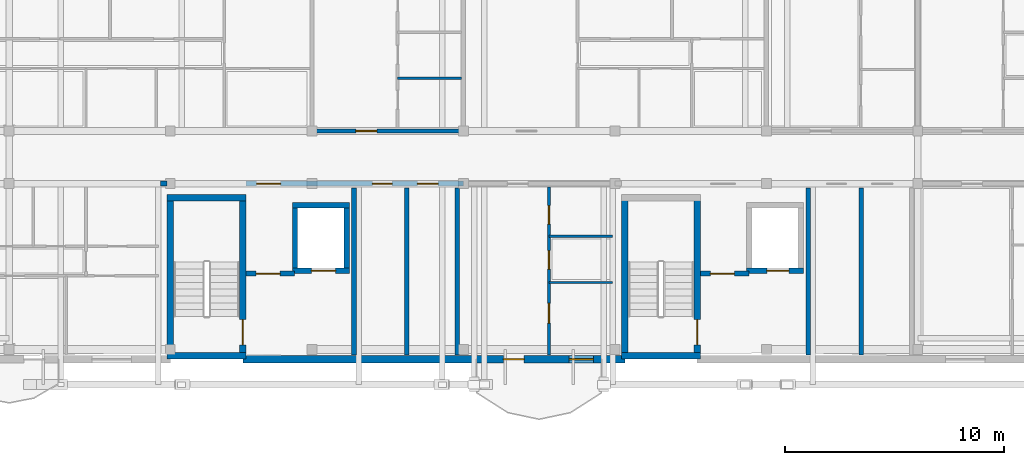
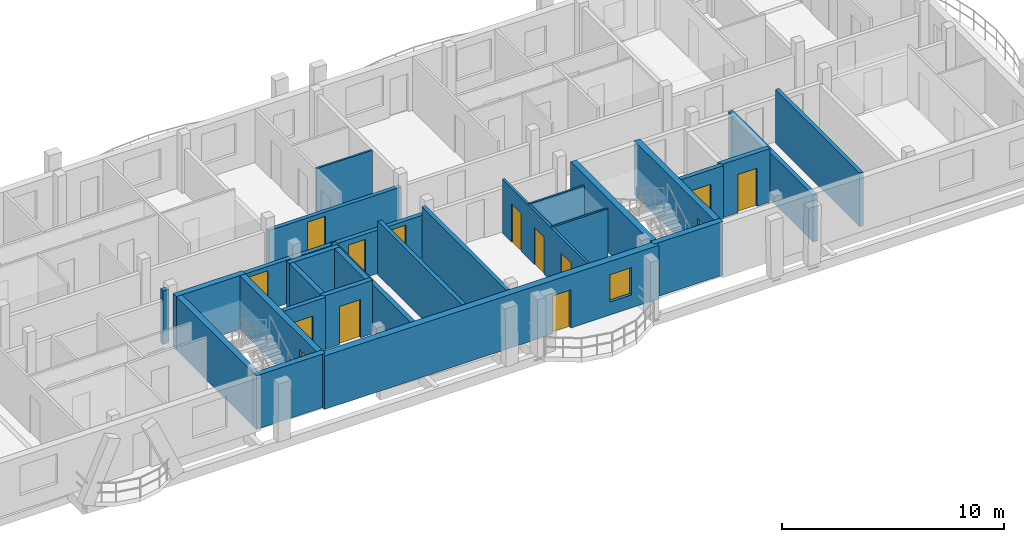
# One storey, part 32 of 48: 27 walls, 14 doors, 1 window, 15 openings.
"""IFC4 building model written with IfcOpenShell, lengths in metres."""

from ifc_helpers import new_model, si_unit, direction, frame, frame_2d, origin, origin_with_axes, place, context, subcontext, project, spatial, rectangle, extrude, material, layer, layer_set, type_object, element, fill, save


model = new_model("IFC4")

# Units and contexts
model_context = context("Model", 3, precision=1e-05, world=origin(), true_north=direction((0.0, 1.0)))
body_context = subcontext(model_context, "Body", "Model", "MODEL_VIEW")
ifc_project = project(units=[si_unit("LENGTHUNIT", "METRE"), si_unit("AREAUNIT", "SQUARE_METRE"), si_unit("VOLUMEUNIT", "CUBIC_METRE"), si_unit("PLANEANGLEUNIT", "RADIAN"), si_unit("MASSUNIT", "GRAM", prefix="KILO")], contexts=[model_context])

# Site, building, storey
site_placement = place(None, origin())
site = spatial("IfcSite", under=ifc_project, at=site_placement, CompositionType="ELEMENT")
building_placement = place(site_placement, origin())
building = spatial("IfcBuilding", under=site, at=building_placement, Name="Zavelmont Quarter", CompositionType="ELEMENT")
storey_placement = place(building_placement, frame((0.0, 0.0, 17.60009765625)))
storey = spatial("IfcBuildingStorey", under=building, at=storey_placement, Name="L05", CompositionType="ELEMENT", Elevation=17.60009765625)

# Wall, openings, door, window
ifc_material_1 = material(Name="Natural Belgian limestone", Category="masonry")
ifc_layer_1 = layer(ifc_material_1, 0.360107421875)
ifc_layer_set_1 = layer_set([ifc_layer_1], Name="Natural Belgian limestone")
wall_type_1 = type_object("IfcWallType", Name="EW02", PredefinedType="STANDARD", material=ifc_layer_set_1)
wall_1_placement = place(storey_placement, frame((130.35009765625, 97.60009765625, 0.0), z_axis=(0.0, 0.0, 1.0), x_axis=(1.0, 0.0, 0.0)))
wall_1 = element("IfcWall", 1, at=wall_1_placement, inside=storey, type_object=wall_type_1, Name="L05 exterior limestone wall EW02", PredefinedType="STANDARD", context=body_context, shape_type="SweptSolid", body=[
    extrude(rectangle(XDim=17.39990234375, YDim=0.360107421875, at=frame_2d((8.699951171875, 0.0))), origin(), (0.0, 0.0, 1.0), 2.949951171875),
])
opening_1_placement = place(wall_1_placement, frame((11.8701171875, 0.0, 0.0)))
opening_1 = element("IfcOpeningElement", 2, at=opening_1_placement, cuts=wall_1, Name="Opening DR04", PredefinedType="OPENING", context=body_context, shape_type="SweptSolid", body=[
    extrude(rectangle(XDim=0.949951171875, YDim=2.10009765625, at=frame_2d((0.47509765625, 1.050048828125))), frame((0.0, 0.19189453125, 0.0), z_axis=(0.0, -1.0, 0.0), x_axis=(1.0, 0.0, 0.0)), (0.0, 0.0, 1.0), 0.384033203125),
])
opening_2_placement = place(wall_1_placement, frame((14.8701171875, 0.0, 0.719970703125)))
opening_2 = element("IfcOpeningElement", 3, at=opening_2_placement, cuts=wall_1, Name="Opening WN09", PredefinedType="OPENING", context=body_context, shape_type="SweptSolid", body=[
    extrude(rectangle(XDim=1.10009765625, YDim=1.5, at=frame_2d((0.550048828125, 0.75))), frame((0.0, 0.19189453125, 0.0), z_axis=(0.0, -1.0, 0.0), x_axis=(1.0, 0.0, 0.0)), (0.0, 0.0, 1.0), 0.384033203125),
])
ifc_material_2 = material(Name="Thermally broken aluminium and double safety glass", Category="aluminium")
door_type_1 = type_object("IfcDoorType", Name="DR04", OperationType="NOTDEFINED", PredefinedType="DOOR", material=ifc_material_2)
door_1_placement = place(opening_1_placement, origin_with_axes())
door_1 = element("IfcDoor", 4, at=door_1_placement, inside=storey, type_object=door_type_1, Name="Block C L05 glazed balcony door", OperationType="SINGLE_SWING_RIGHT", OverallHeight=2.10009765625, OverallWidth=0.949951171875, PredefinedType="DOOR", context=body_context, shape_type="SweptSolid", body=[
    extrude(rectangle(XDim=0.949951171875, YDim=2.10009765625, at=frame_2d((0.47509765625, 1.050048828125))), frame((0.0, 0.02490234375, 0.0), z_axis=(0.0, -1.0, 0.0), x_axis=(1.0, 0.0, 0.0)), (0.0, 0.0, 1.0), 0.050048828125),
])
fill(opening_1, door_1)
ifc_material_3 = material(Name="Double low-E insulated glazing in thermally broken aluminium frame", Category="aluminium")
window_type = type_object("IfcWindowType", Name="WN09", PartitioningType="SINGLE_PANEL", PredefinedType="WINDOW", material=ifc_material_3)
window_placement = place(opening_2_placement, origin_with_axes())
window = element("IfcWindow", 5, at=window_placement, inside=storey, type_object=window_type, Name="L05 window WN09", OverallHeight=1.5, OverallWidth=1.10009765625, PartitioningType="SINGLE_PANEL", PredefinedType="WINDOW", context=body_context, shape_type="SweptSolid", body=[
    extrude(rectangle(XDim=1.10009765625, YDim=1.5, at=frame_2d((0.550048828125, 0.75))), frame((0.0, 0.030029296875, 0.0), z_axis=(0.0, -1.0, 0.0), x_axis=(1.0, 0.0, 0.0)), (0.0, 0.0, 1.0), 0.06005859375),
])
fill(opening_2, window)

# Walls
ifc_material_4 = material(Name="Calcium-silicate blockwork and acoustic plaster", Category="masonry")
ifc_layer_2 = layer(ifc_material_4, 0.199951171875)
ifc_layer_set_2 = layer_set([ifc_layer_2], Name="Calcium-silicate blockwork and acoustic plaster")
wall_type_2 = type_object("IfcWallType", Name="IW01", PredefinedType="PARTITIONING", material=ifc_layer_set_2)
for number, where, z_axis, x_axis, name in (
    (6, (137.824951171875, 97.800048828125, 0.0), (0.0, 0.0, 1.0), (0.0, 1.0, 0.0), "L05 Service riser divider wall IW01"),
    (7, (140.1201171875, 97.800048828125, 0.0), (0.0, 0.0, 1.0), (0.0, 1.0, 0.0), "L05 Core service end wall IW01"),
    (8, (158.52490234375, 97.800048828125, 0.0), (0.0, 0.0, 1.0), (0.0, 1.0, 0.0), "L05 Service riser divider wall IW01"),
):
    element("IfcWall", number, at=place(storey_placement, frame(where, z_axis=z_axis, x_axis=x_axis)), inside=storey, type_object=wall_type_2, Name=name, PredefinedType="PARTITIONING", context=body_context, shape_type="SweptSolid", body=[
        extrude(rectangle(XDim=7.599853515625, YDim=0.199951171875, at=frame_2d((3.7998046875, 0.0))), origin(), (0.0, 0.0, 1.0), 2.949951171875),
    ])

# Wall, opening, door
wall_2_placement = place(storey_placement, frame((133.5, 108.0, 0.0), z_axis=(0.0, 0.0, 1.0), x_axis=(1.0, 0.0, 0.0)))
wall_2 = element("IfcWall", 9, at=wall_2_placement, inside=storey, type_object=wall_type_2, Name="L05 Corridor compartment wall IW01", PredefinedType="PARTITIONING", context=body_context, shape_type="SweptSolid", body=[
    extrude(rectangle(XDim=6.89990234375, YDim=0.199951171875, at=frame_2d((3.449951171875, 0.0))), origin(), (0.0, 0.0, 1.0), 2.389892578125),
])
opening_3_placement = place(wall_2_placement, frame((2.0, 0.0, 0.0)))
opening_3 = element("IfcOpeningElement", 10, at=opening_3_placement, cuts=wall_2, Name="Opening DR02", PredefinedType="OPENING", context=body_context, shape_type="SweptSolid", body=[
    extrude(rectangle(XDim=0.949951171875, YDim=2.14990234375, at=frame_2d((0.47509765625, 1.074951171875))), frame((0.0, 0.11181640625, 0.0), z_axis=(0.0, -1.0, 0.0), x_axis=(1.0, 0.0, 0.0)), (0.0, 0.0, 1.0), 0.223876953125),
])
ifc_material_5 = material(Name="Solid-core oak fire leaf in steel frame", Category="steel")
door_type_2 = type_object("IfcDoorType", Name="DR02", OperationType="NOTDEFINED", PredefinedType="DOOR", material=ifc_material_5)
door_2_placement = place(opening_3_placement, origin_with_axes())
door_2 = element("IfcDoor", 11, at=door_2_placement, inside=storey, type_object=door_type_2, Name="L05 door DR02", OperationType="SINGLE_SWING_LEFT", OverallHeight=2.14990234375, OverallWidth=0.949951171875, PredefinedType="DOOR", context=body_context, shape_type="SweptSolid", body=[
    extrude(rectangle(XDim=0.949951171875, YDim=2.14990234375, at=frame_2d((0.47509765625, 1.074951171875))), frame((0.0, 0.02490234375, 0.0), z_axis=(0.0, -1.0, 0.0), x_axis=(1.0, 0.0, 0.0)), (0.0, 0.0, 1.0), 0.050048828125),
])
fill(opening_3, door_2)

# Wall
ifc_material_6 = material(Name="Reinforced masonry fire compartment wall", Category="masonry")
ifc_layer_3 = layer(ifc_material_6, 0.22509765625)
ifc_layer_set_3 = layer_set([ifc_layer_3], Name="Reinforced masonry fire compartment wall")
wall_type_3 = type_object("IfcWallType", Name="IW02", PredefinedType="PARTITIONING", material=ifc_layer_set_3)
wall_3_placement = place(storey_placement, frame((135.409912109375, 97.800048828125, 0.0), z_axis=(0.0, 0.0, 1.0), x_axis=(0.0, 1.0, 0.0)))
element("IfcWall", 12, at=wall_3_placement, inside=storey, type_object=wall_type_3, Name="L05 Firefighting lobby enclosure wall IW02", PredefinedType="PARTITIONING", context=body_context, shape_type="SweptSolid", body=[
    extrude(rectangle(XDim=7.599853515625, YDim=0.22509765625, at=frame_2d((3.7998046875, 0.0))), origin(), (0.0, 0.0, 1.0), 2.58984375),
])

# Wall, opening, door
wall_4_placement = place(storey_placement, frame((130.5, 101.5, 0.0), z_axis=(0.0, 0.0, 1.0), x_axis=(1.0, 0.0, 0.0)))
wall_4 = element("IfcWall", 13, at=wall_4_placement, inside=storey, type_object=wall_type_3, Name="L05 Firefighting lobby threshold wall IW02", PredefinedType="PARTITIONING", context=body_context, shape_type="SweptSolid", body=[
    extrude(rectangle(XDim=2.199951171875, YDim=0.22509765625, at=frame_2d((1.10009765625, 0.0))), origin(), (0.0, 0.0, 1.0), 2.949951171875),
])
opening_4_placement = place(wall_4_placement, frame((0.449951171875, 0.0, 0.0)))
opening_4 = element("IfcOpeningElement", 14, at=opening_4_placement, cuts=wall_4, Name="Opening DR10", PredefinedType="OPENING", context=body_context, shape_type="SweptSolid", body=[
    extrude(rectangle(XDim=1.10009765625, YDim=2.14990234375, at=frame_2d((0.550048828125, 1.074951171875))), frame((0.0, 0.12451171875, 0.0), z_axis=(0.0, -1.0, 0.0), x_axis=(1.0, 0.0, 0.0)), (0.0, 0.0, 1.0), 0.2490234375),
])
ifc_material_7 = material(Name="Painted steel lobby fire door", Category="steel")
door_type_3 = type_object("IfcDoorType", Name="DR10", OperationType="NOTDEFINED", PredefinedType="DOOR", material=ifc_material_7)
door_3_placement = place(opening_4_placement, frame((1.10009765625, 0.0, 0.0), z_axis=(0.0, 0.0, 1.0), x_axis=(-1.0, 0.0, 0.0)))
door_3 = element("IfcDoor", 15, at=door_3_placement, inside=storey, type_object=door_type_3, Name="Firefighting lobby fire door", OperationType="SINGLE_SWING_LEFT", OverallHeight=2.14990234375, OverallWidth=1.10009765625, PredefinedType="DOOR", context=body_context, shape_type="SweptSolid", body=[
    extrude(rectangle(XDim=1.10009765625, YDim=2.14990234375, at=frame_2d((0.550048828125, 1.074951171875))), frame((0.0, 0.02490234375, 0.0), z_axis=(0.0, -1.0, 0.0), x_axis=(1.0, 0.0, 0.0)), (0.0, 0.0, 1.0), 0.050048828125),
])
fill(opening_4, door_3)

# Wall
wall_5_placement = place(storey_placement, frame((126.60009765625, 105.60009765625, 0.0), z_axis=(0.0, 0.0, 1.0), x_axis=(1.0, 0.0, 0.0)))
element("IfcWall", 16, at=wall_5_placement, inside=storey, type_object=wall_type_3, Name="L05 Core corridor wall IW02", PredefinedType="PARTITIONING", context=body_context, shape_type="SweptSolid", body=[
    extrude(rectangle(XDim=0.2998046875, YDim=0.22509765625, at=frame_2d((0.14990234375, 0.0))), origin(), (0.0, 0.0, 1.0), 2.949951171875),
])

# Wall, openings, doors
wall_6_placement = place(storey_placement, frame((130.5, 105.60009765625, 0.0), z_axis=(0.0, 0.0, 1.0), x_axis=(1.0, 0.0, 0.0)))
wall_6 = element("IfcWall", 17, at=wall_6_placement, inside=storey, type_object=wall_type_3, Name="L05 Core corridor fire wall IW02", PredefinedType="PARTITIONING", context=body_context, shape_type="SweptSolid", body=[
    extrude(rectangle(XDim=9.89990234375, YDim=0.22509765625, at=frame_2d((4.949951171875, 0.0))), origin(), (0.0, 0.0, 1.0), 2.389892578125),
])
opening_5_placement = place(wall_6_placement, frame((0.47509765625, 0.0, 0.0)))
opening_5 = element("IfcOpeningElement", 18, at=opening_5_placement, cuts=wall_6, Name="Opening DR10", PredefinedType="OPENING", context=body_context, shape_type="SweptSolid", body=[
    extrude(rectangle(XDim=1.10009765625, YDim=2.14990234375, at=frame_2d((0.550048828125, 1.074951171875))), frame((0.0, 0.12451171875, 0.0), z_axis=(0.0, -1.0, 0.0), x_axis=(1.0, 0.0, 0.0)), (0.0, 0.0, 1.0), 0.2490234375),
])
opening_6_placement = place(wall_6_placement, frame((5.75, 0.0, 0.0)))
opening_6 = element("IfcOpeningElement", 19, at=opening_6_placement, cuts=wall_6, Name="Opening DR11", PredefinedType="OPENING", context=body_context, shape_type="SweptSolid", body=[
    extrude(rectangle(XDim=0.89990234375, YDim=2.10009765625, at=frame_2d((0.449951171875, 1.050048828125))), frame((0.0, 0.12451171875, 0.0), z_axis=(0.0, -1.0, 0.0), x_axis=(1.0, 0.0, 0.0)), (0.0, 0.0, 1.0), 0.2490234375),
])
opening_7_placement = place(wall_6_placement, frame((7.800048828125, 0.0, 0.0)))
opening_7 = element("IfcOpeningElement", 20, at=opening_7_placement, cuts=wall_6, Name="Opening DR02", PredefinedType="OPENING", context=body_context, shape_type="SweptSolid", body=[
    extrude(rectangle(XDim=0.949951171875, YDim=2.14990234375, at=frame_2d((0.47509765625, 1.074951171875))), frame((0.0, 0.12451171875, 0.0), z_axis=(0.0, -1.0, 0.0), x_axis=(1.0, 0.0, 0.0)), (0.0, 0.0, 1.0), 0.2490234375),
])
door_4_placement = place(opening_7_placement, origin_with_axes())
door_4 = element("IfcDoor", 21, at=door_4_placement, inside=storey, type_object=door_type_2, Name="Auxiliary store corridor door", OperationType="SINGLE_SWING_RIGHT", OverallHeight=2.14990234375, OverallWidth=0.949951171875, PredefinedType="DOOR", context=body_context, shape_type="SweptSolid", body=[
    extrude(rectangle(XDim=0.949951171875, YDim=2.14990234375, at=frame_2d((0.47509765625, 1.074951171875))), frame((0.0, 0.02490234375, 0.0), z_axis=(0.0, -1.0, 0.0), x_axis=(1.0, 0.0, 0.0)), (0.0, 0.0, 1.0), 0.050048828125),
])
fill(opening_7, door_4)
door_5_placement = place(opening_5_placement, frame((1.10009765625, 0.0, 0.0), z_axis=(0.0, 0.0, 1.0), x_axis=(-1.0, 0.0, 0.0)))
door_5 = element("IfcDoor", 22, at=door_5_placement, inside=storey, type_object=door_type_3, Name="Core vestibule fire door", OperationType="SINGLE_SWING_RIGHT", OverallHeight=2.14990234375, OverallWidth=1.10009765625, PredefinedType="DOOR", context=body_context, shape_type="SweptSolid", body=[
    extrude(rectangle(XDim=1.10009765625, YDim=2.14990234375, at=frame_2d((0.550048828125, 1.074951171875))), frame((0.0, 0.02490234375, 0.0), z_axis=(0.0, -1.0, 0.0), x_axis=(1.0, 0.0, 0.0)), (0.0, 0.0, 1.0), 0.050048828125),
])
fill(opening_5, door_5)
ifc_material_8 = material(Name="Painted steel service-riser fire door", Category="steel")
door_type_4 = type_object("IfcDoorType", Name="DR11", OperationType="NOTDEFINED", PredefinedType="DOOR", material=ifc_material_8)
door_6_placement = place(opening_6_placement, origin_with_axes())
door_6 = element("IfcDoor", 23, at=door_6_placement, inside=storey, type_object=door_type_4, Name="Service riser fire door", OperationType="SINGLE_SWING_LEFT", OverallHeight=2.10009765625, OverallWidth=0.89990234375, PredefinedType="DOOR", context=body_context, shape_type="SweptSolid", body=[
    extrude(rectangle(XDim=0.89990234375, YDim=2.10009765625, at=frame_2d((0.449951171875, 1.050048828125))), frame((0.0, 0.02490234375, 0.0), z_axis=(0.0, -1.0, 0.0), x_axis=(1.0, 0.0, 0.0)), (0.0, 0.0, 1.0), 0.050048828125),
])
fill(opening_6, door_6)

# Wall
wall_7_placement = place(storey_placement, frame((156.110107421875, 97.800048828125, 0.0), z_axis=(0.0, 0.0, 1.0), x_axis=(0.0, 1.0, 0.0)))
element("IfcWall", 24, at=wall_7_placement, inside=storey, type_object=wall_type_3, Name="L05 Firefighting lobby enclosure wall IW02", PredefinedType="PARTITIONING", context=body_context, shape_type="SweptSolid", body=[
    extrude(rectangle(XDim=7.599853515625, YDim=0.22509765625, at=frame_2d((3.7998046875, 0.0))), origin(), (0.0, 0.0, 1.0), 2.58984375),
])

# Wall, opening, door
wall_8_placement = place(storey_placement, frame((151.199951171875, 101.5, 0.0), z_axis=(0.0, 0.0, 1.0), x_axis=(1.0, 0.0, 0.0)))
wall_8 = element("IfcWall", 25, at=wall_8_placement, inside=storey, type_object=wall_type_3, Name="L05 Firefighting lobby threshold wall IW02", PredefinedType="PARTITIONING", context=body_context, shape_type="SweptSolid", body=[
    extrude(rectangle(XDim=2.199951171875, YDim=0.22509765625, at=frame_2d((1.10009765625, 0.0))), origin(), (0.0, 0.0, 1.0), 2.949951171875),
])
opening_8_placement = place(wall_8_placement, frame((0.449951171875, 0.0, 0.0)))
opening_8 = element("IfcOpeningElement", 26, at=opening_8_placement, cuts=wall_8, Name="Opening DR10", PredefinedType="OPENING", context=body_context, shape_type="SweptSolid", body=[
    extrude(rectangle(XDim=1.10009765625, YDim=2.14990234375, at=frame_2d((0.550048828125, 1.074951171875))), frame((0.0, 0.12451171875, 0.0), z_axis=(0.0, -1.0, 0.0), x_axis=(1.0, 0.0, 0.0)), (0.0, 0.0, 1.0), 0.2490234375),
])
door_7_placement = place(opening_8_placement, frame((1.10009765625, 0.0, 0.0), z_axis=(0.0, 0.0, 1.0), x_axis=(-1.0, 0.0, 0.0)))
door_7 = element("IfcDoor", 27, at=door_7_placement, inside=storey, type_object=door_type_3, Name="Firefighting lobby fire door", OperationType="SINGLE_SWING_RIGHT", OverallHeight=2.14990234375, OverallWidth=1.10009765625, PredefinedType="DOOR", context=body_context, shape_type="SweptSolid", body=[
    extrude(rectangle(XDim=1.10009765625, YDim=2.14990234375, at=frame_2d((0.550048828125, 1.074951171875))), frame((0.0, 0.02490234375, 0.0), z_axis=(0.0, -1.0, 0.0), x_axis=(1.0, 0.0, 0.0)), (0.0, 0.0, 1.0), 0.050048828125),
])
fill(opening_8, door_7)

# Wall, openings, doors
ifc_material_9 = material(Name="Double gypsum board on acoustic steel stud", Category="steel")
ifc_layer_4 = layer(ifc_material_9, 0.125)
ifc_layer_set_4 = layer_set([ifc_layer_4], Name="Double gypsum board on acoustic steel stud")
wall_type_4 = type_object("IfcWallType", Name="IW03", PredefinedType="PARTITIONING", material=ifc_layer_set_4)
wall_9_placement = place(storey_placement, frame((144.300048828125, 105.449951171875, 0.0), z_axis=(0.0, 0.0, 1.0), x_axis=(0.0, -1.0, 0.0)))
wall_9 = element("IfcWall", 28, at=wall_9_placement, inside=storey, type_object=wall_type_4, Name="L05 Partition IW03", PredefinedType="PARTITIONING", context=body_context, shape_type="SweptSolid", body=[
    extrude(rectangle(XDim=7.64990234375, YDim=0.125, at=frame_2d((3.824951171875, 0.0))), origin(), (0.0, 0.0, 1.0), 2.949951171875),
])
opening_9_placement = place(wall_9_placement, frame((0.85009765625, 0.0, 0.0)))
opening_9 = element("IfcOpeningElement", 29, at=opening_9_placement, cuts=wall_9, Name="Opening DR16", PredefinedType="OPENING", context=body_context, shape_type="SweptSolid", body=[
    extrude(rectangle(XDim=0.85009765625, YDim=2.10009765625, at=frame_2d((0.425048828125, 1.050048828125))), frame((0.0, 0.074462890625, 0.0), z_axis=(0.0, -1.0, 0.0), x_axis=(1.0, 0.0, 0.0)), (0.0, 0.0, 1.0), 0.14892578125),
])
opening_10_placement = place(wall_9_placement, frame((2.89990234375, 0.0, 0.0)))
opening_10 = element("IfcOpeningElement", 30, at=opening_10_placement, cuts=wall_9, Name="Opening DR06", PredefinedType="OPENING", context=body_context, shape_type="SweptSolid", body=[
    extrude(rectangle(XDim=0.85009765625, YDim=2.050048828125, at=frame_2d((0.425048828125, 1.02490234375))), frame((0.0, 0.074462890625, 0.0), z_axis=(0.0, -1.0, 0.0), x_axis=(1.0, 0.0, 0.0)), (0.0, 0.0, 1.0), 0.14892578125),
])
opening_11_placement = place(wall_9_placement, frame((5.300048828125, 0.0, 0.0)))
opening_11 = element("IfcOpeningElement", 31, at=opening_11_placement, cuts=wall_9, Name="Opening DR05", PredefinedType="OPENING", context=body_context, shape_type="SweptSolid", body=[
    extrude(rectangle(XDim=0.89990234375, YDim=2.10009765625, at=frame_2d((0.449951171875, 1.050048828125))), frame((0.0, 0.074462890625, 0.0), z_axis=(0.0, -1.0, 0.0), x_axis=(1.0, 0.0, 0.0)), (0.0, 0.0, 1.0), 0.14892578125),
])
ifc_material_10 = material(Name="Engineered oak flush interior door")
door_type_5 = type_object("IfcDoorType", Name="DR05", OperationType="NOTDEFINED", PredefinedType="DOOR", material=ifc_material_10)
door_8_placement = place(opening_11_placement, origin_with_axes())
door_8 = element("IfcDoor", 32, at=door_8_placement, inside=storey, type_object=door_type_5, Name="L05 door DR05", OperationType="SINGLE_SWING_LEFT", OverallHeight=2.10009765625, OverallWidth=0.89990234375, PredefinedType="DOOR", context=body_context, shape_type="SweptSolid", body=[
    extrude(rectangle(XDim=0.89990234375, YDim=2.10009765625, at=frame_2d((0.449951171875, 1.050048828125))), frame((0.0, 0.02490234375, 0.0), z_axis=(0.0, -1.0, 0.0), x_axis=(1.0, 0.0, 0.0)), (0.0, 0.0, 1.0), 0.050048828125),
])
fill(opening_11, door_8)
ifc_material_11 = material(Name="Moisture-resistant painted wet-room door")
door_type_6 = type_object("IfcDoorType", Name="DR06", OperationType="NOTDEFINED", PredefinedType="DOOR", material=ifc_material_11)
door_9_placement = place(opening_10_placement, frame((0.85009765625, 0.0, 0.0), z_axis=(0.0, 0.0, 1.0), x_axis=(-1.0, 0.0, 0.0)))
door_9 = element("IfcDoor", 33, at=door_9_placement, inside=storey, type_object=door_type_6, Name="L05 door DR06", OperationType="SINGLE_SWING_RIGHT", OverallHeight=2.050048828125, OverallWidth=0.85009765625, PredefinedType="DOOR", context=body_context, shape_type="SweptSolid", body=[
    extrude(rectangle(XDim=0.85009765625, YDim=2.050048828125, at=frame_2d((0.425048828125, 1.02490234375))), frame((0.0, 0.02490234375, 0.0), z_axis=(0.0, -1.0, 0.0), x_axis=(1.0, 0.0, 0.0)), (0.0, 0.0, 1.0), 0.050048828125),
])
fill(opening_10, door_9)
door_type_7 = type_object("IfcDoorType", Name="DR16", OperationType="NOTDEFINED", PredefinedType="DOOR", material=ifc_material_10)
door_10_placement = place(opening_9_placement, origin_with_axes())
door_10 = element("IfcDoor", 34, at=door_10_placement, inside=storey, type_object=door_type_7, Name="L05 door DR16", OperationType="SINGLE_SWING_LEFT", OverallHeight=2.10009765625, OverallWidth=0.85009765625, PredefinedType="DOOR", context=body_context, shape_type="SweptSolid", body=[
    extrude(rectangle(XDim=0.85009765625, YDim=2.10009765625, at=frame_2d((0.425048828125, 1.050048828125))), frame((0.0, 0.02490234375, 0.0), z_axis=(0.0, -1.0, 0.0), x_axis=(1.0, 0.0, 0.0)), (0.0, 0.0, 1.0), 0.050048828125),
])
fill(opening_9, door_10)

# Walls
ifc_material_12 = material(Name="Moisture-resistant gypsum board on steel stud", Category="steel")
ifc_layer_5 = layer(ifc_material_12, 0.10009765625)
ifc_layer_set_5 = layer_set([ifc_layer_5], Name="Moisture-resistant gypsum board on steel stud")
wall_type_5 = type_object("IfcWallType", Name="IW04", PredefinedType="PARTITIONING", material=ifc_layer_set_5)
wall_10_placement = place(storey_placement, frame((137.39990234375, 110.39990234375, 0.0), z_axis=(0.0, 0.0, 1.0), x_axis=(1.0, 0.0, 0.0)))
element("IfcWall", 35, at=wall_10_placement, inside=storey, type_object=wall_type_5, Name="L05 Partition IW04", PredefinedType="PARTITIONING", context=body_context, shape_type="SweptSolid", body=[
    extrude(rectangle(XDim=2.900146484375, YDim=0.10009765625, at=frame_2d((1.4501953125, 0.0))), origin(), (0.0, 0.0, 1.0), 2.949951171875),
])
for number, where, z_axis, x_axis, name in (
    (36, (144.300048828125, 103.199951171875, 0.0), (0.0, 0.0, 1.0), (1.0, 0.0, 0.0), "L05 Partition IW04"),
    (37, (144.300048828125, 101.10009765625, 0.0), (0.0, 0.0, 1.0), (1.0, 0.0, 0.0), "L05 Partition IW04"),
):
    element("IfcWall", number, at=place(storey_placement, frame(where, z_axis=z_axis, x_axis=x_axis)), inside=storey, type_object=wall_type_5, Name=name, PredefinedType="PARTITIONING", context=body_context, shape_type="SweptSolid", body=[
        extrude(rectangle(XDim=2.89990234375, YDim=0.10009765625, at=frame_2d((1.449951171875, 0.0))), origin(), (0.0, 0.0, 1.0), 2.949951171875),
    ])
ifc_material_13 = material(Name="Concrete C40/50", Category="concrete")
ifc_layer_6 = layer(ifc_material_13, 0.300048828125)
ifc_layer_set_6 = layer_set([ifc_layer_6], Name="Concrete C40/50")
wall_type_6 = type_object("IfcWallType", Name="SW01", PredefinedType="SHEAR", material=ifc_layer_set_6)
wall_11_placement = place(storey_placement, frame((126.89990234375, 104.949951171875, 0.0), z_axis=(0.0, 0.0, 1.0), x_axis=(1.0, 0.0, 0.0)))
element("IfcWall", 38, at=wall_11_placement, inside=storey, type_object=wall_type_6, Name="L05 ST05 corridor shear wall SW01", PredefinedType="SHEAR", context=body_context, shape_type="SweptSolid", body=[
    extrude(rectangle(XDim=3.60009765625, YDim=0.300048828125, at=frame_2d((1.800048828125, 0.0))), origin(), (0.0, 0.0, 1.0), 2.949951171875),
])
wall_12_placement = place(storey_placement, frame((127.050048828125, 97.60009765625, 0.0), z_axis=(0.0, 0.0, 1.0), x_axis=(0.0, 1.0, 0.0)))
element("IfcWall", 39, at=wall_12_placement, inside=storey, type_object=wall_type_6, Name="L05 ST05 west shear wall SW01", PredefinedType="SHEAR", context=body_context, shape_type="SweptSolid", body=[
    extrude(rectangle(XDim=7.5, YDim=0.300048828125, at=frame_2d((3.75, 0.0))), origin(), (0.0, 0.0, 1.0), 2.949951171875),
])

# Wall, opening, door
wall_13_placement = place(storey_placement, frame((130.35009765625, 97.60009765625, 0.0), z_axis=(0.0, 0.0, 1.0), x_axis=(0.0, 1.0, 0.0)))
wall_13 = element("IfcWall", 40, at=wall_13_placement, inside=storey, type_object=wall_type_6, Name="L05 ST05 lobby shear wall SW01", PredefinedType="SHEAR", context=body_context, shape_type="SweptSolid", body=[
    extrude(rectangle(XDim=7.5, YDim=0.300048828125, at=frame_2d((3.75, 0.0))), origin(), (0.0, 0.0, 1.0), 2.949951171875),
])
opening_12_placement = place(wall_13_placement, frame((0.64990234375, 0.0, 0.0)))
opening_12 = element("IfcOpeningElement", 41, at=opening_12_placement, cuts=wall_13, Name="Opening DR09", PredefinedType="OPENING", context=body_context, shape_type="SweptSolid", body=[
    extrude(rectangle(XDim=1.14990234375, YDim=2.14990234375, at=frame_2d((0.574951171875, 1.074951171875))), frame((0.0, 0.162109375, 0.0), z_axis=(0.0, -1.0, 0.0), x_axis=(1.0, 0.0, 0.0)), (0.0, 0.0, 1.0), 0.323974609375),
])
ifc_material_14 = material(Name="Painted steel stair-core fire door", Category="steel")
door_type_8 = type_object("IfcDoorType", Name="DR09", OperationType="NOTDEFINED", PredefinedType="DOOR", material=ifc_material_14)
door_11_placement = place(opening_12_placement, origin_with_axes())
door_11 = element("IfcDoor", 42, at=door_11_placement, inside=storey, type_object=door_type_8, Name="ST05 protected stair door", OperationType="SINGLE_SWING_RIGHT", OverallHeight=2.14990234375, OverallWidth=1.14990234375, PredefinedType="DOOR", context=body_context, shape_type="SweptSolid", body=[
    extrude(rectangle(XDim=1.14990234375, YDim=2.14990234375, at=frame_2d((0.574951171875, 1.074951171875))), frame((0.0, 0.02490234375, 0.0), z_axis=(0.0, -1.0, 0.0), x_axis=(1.0, 0.0, 0.0)), (0.0, 0.0, 1.0), 0.050048828125),
])
fill(opening_12, door_11)

# Wall
wall_14_placement = place(storey_placement, frame((147.75, 97.60009765625, 0.0), z_axis=(0.0, 0.0, 1.0), x_axis=(0.0, 1.0, 0.0)))
element("IfcWall", 43, at=wall_14_placement, inside=storey, type_object=wall_type_6, Name="L05 ST06 west shear wall SW01", PredefinedType="SHEAR", context=body_context, shape_type="SweptSolid", body=[
    extrude(rectangle(XDim=7.5, YDim=0.300048828125, at=frame_2d((3.75, 0.0))), origin(), (0.0, 0.0, 1.0), 2.949951171875),
])

# Wall, opening, door
wall_15_placement = place(storey_placement, frame((151.050048828125, 97.60009765625, 0.0), z_axis=(0.0, 0.0, 1.0), x_axis=(0.0, 1.0, 0.0)))
wall_15 = element("IfcWall", 44, at=wall_15_placement, inside=storey, type_object=wall_type_6, Name="L05 ST06 lobby shear wall SW01", PredefinedType="SHEAR", context=body_context, shape_type="SweptSolid", body=[
    extrude(rectangle(XDim=7.5, YDim=0.300048828125, at=frame_2d((3.75, 0.0))), origin(), (0.0, 0.0, 1.0), 2.949951171875),
])
opening_13_placement = place(wall_15_placement, frame((0.64990234375, 0.0, 0.0)))
opening_13 = element("IfcOpeningElement", 45, at=opening_13_placement, cuts=wall_15, Name="Opening DR09", PredefinedType="OPENING", context=body_context, shape_type="SweptSolid", body=[
    extrude(rectangle(XDim=1.14990234375, YDim=2.14990234375, at=frame_2d((0.574951171875, 1.074951171875))), frame((0.0, 0.162109375, 0.0), z_axis=(0.0, -1.0, 0.0), x_axis=(1.0, 0.0, 0.0)), (0.0, 0.0, 1.0), 0.323974609375),
])
door_12_placement = place(opening_13_placement, origin_with_axes())
door_12 = element("IfcDoor", 46, at=door_12_placement, inside=storey, type_object=door_type_8, Name="ST06 protected stair door", OperationType="SINGLE_SWING_RIGHT", OverallHeight=2.14990234375, OverallWidth=1.14990234375, PredefinedType="DOOR", context=body_context, shape_type="SweptSolid", body=[
    extrude(rectangle(XDim=1.14990234375, YDim=2.14990234375, at=frame_2d((0.574951171875, 1.074951171875))), frame((0.0, 0.02490234375, 0.0), z_axis=(0.0, -1.0, 0.0), x_axis=(1.0, 0.0, 0.0)), (0.0, 0.0, 1.0), 0.050048828125),
])
fill(opening_13, door_12)

ifc_layer_7 = layer(ifc_material_13, 0.25)
ifc_layer_set_7 = layer_set([ifc_layer_7], Name="Concrete C40/50")
wall_type_7 = type_object("IfcWallType", Name="SW02", PredefinedType="SHEAR", material=ifc_layer_set_7)
wall_16_placement = place(storey_placement, frame((132.60009765625, 101.625, 0.0), z_axis=(0.0, 0.0, 1.0), x_axis=(1.0, 0.0, 0.0)))
wall_16 = element("IfcWall", 47, at=wall_16_placement, inside=storey, type_object=wall_type_7, Name="L05 Lift FL03 landing shaft wall SW02", PredefinedType="SHEAR", context=body_context, shape_type="SweptSolid", body=[
    extrude(rectangle(XDim=2.599853515625, YDim=0.25, at=frame_2d((1.2998046875, 0.0))), origin(), (0.0, 0.0, 1.0), 2.949951171875),
])
opening_14_placement = place(wall_16_placement, frame((0.875, 0.0, 0.0)))
opening_14 = element("IfcOpeningElement", 48, at=opening_14_placement, cuts=wall_16, Name="Opening LD02", PredefinedType="OPENING", context=body_context, shape_type="SweptSolid", body=[
    extrude(rectangle(XDim=1.10009765625, YDim=2.10009765625, at=frame_2d((0.550048828125, 1.050048828125))), frame((0.0, 0.136962890625, 0.0), z_axis=(0.0, -1.0, 0.0), x_axis=(1.0, 0.0, 0.0)), (0.0, 0.0, 1.0), 0.27392578125),
])
ifc_material_15 = material(Name="Brushed stainless-steel firefighting lift landing door", Category="steel")
door_type_9 = type_object("IfcDoorType", Name="LD02", OperationType="SLIDING_TO_LEFT", PredefinedType="DOOR", material=ifc_material_15)
door_13_placement = place(opening_14_placement, origin_with_axes())
door_13 = element("IfcDoor", 49, at=door_13_placement, inside=storey, type_object=door_type_9, Name="Lift FL03 sliding landing door", OperationType="SLIDING_TO_LEFT", OverallHeight=2.10009765625, OverallWidth=1.10009765625, PredefinedType="DOOR", context=body_context, shape_type="SweptSolid", body=[
    extrude(rectangle(XDim=1.10009765625, YDim=2.10009765625, at=frame_2d((0.550048828125, 1.050048828125))), frame((0.0, 0.02490234375, 0.0), z_axis=(0.0, -1.0, 0.0), x_axis=(1.0, 0.0, 0.0)), (0.0, 0.0, 1.0), 0.050048828125),
])
fill(opening_14, door_13)

# Walls
wall_17_placement = place(storey_placement, frame((132.60009765625, 104.625, 0.0), z_axis=(0.0, 0.0, 1.0), x_axis=(1.0, 0.0, 0.0)))
element("IfcWall", 50, at=wall_17_placement, inside=storey, type_object=wall_type_7, Name="L05 Lift FL03 back shaft wall SW02", PredefinedType="SHEAR", context=body_context, shape_type="SweptSolid", body=[
    extrude(rectangle(XDim=2.599853515625, YDim=0.25, at=frame_2d((1.2998046875, 0.0))), origin(), (0.0, 0.0, 1.0), 2.949951171875),
])
for number, where, z_axis, x_axis, name in (
    (51, (132.72509765625, 101.5, 0.0), (0.0, 0.0, 1.0), (0.0, 1.0, 0.0), "L05 Lift FL03 west shaft wall SW02"),
    (52, (135.074951171875, 101.5, 0.0), (0.0, 0.0, 1.0), (0.0, 1.0, 0.0), "L05 Lift FL03 east shaft wall SW02"),
):
    element("IfcWall", number, at=place(storey_placement, frame(where, z_axis=z_axis, x_axis=x_axis)), inside=storey, type_object=wall_type_7, Name=name, PredefinedType="SHEAR", context=body_context, shape_type="SweptSolid", body=[
        extrude(rectangle(XDim=3.25, YDim=0.25, at=frame_2d((1.625, 0.0))), origin(), (0.0, 0.0, 1.0), 2.949951171875),
    ])

# Wall, opening, door
wall_18_placement = place(storey_placement, frame((153.300048828125, 101.625, 0.0), z_axis=(0.0, 0.0, 1.0), x_axis=(1.0, 0.0, 0.0)))
wall_18 = element("IfcWall", 53, at=wall_18_placement, inside=storey, type_object=wall_type_7, Name="L05 Lift LF06 landing shaft wall SW02", PredefinedType="SHEAR", context=body_context, shape_type="SweptSolid", body=[
    extrude(rectangle(XDim=2.599853515625, YDim=0.25, at=frame_2d((1.2998046875, 0.0))), origin(), (0.0, 0.0, 1.0), 2.949951171875),
])
opening_15_placement = place(wall_18_placement, frame((0.925048828125, 0.0, 0.0)))
opening_15 = element("IfcOpeningElement", 54, at=opening_15_placement, cuts=wall_18, Name="Opening LD01", PredefinedType="OPENING", context=body_context, shape_type="SweptSolid", body=[
    extrude(rectangle(XDim=1.0, YDim=2.10009765625, at=frame_2d((0.5, 1.050048828125))), frame((0.0, 0.136962890625, 0.0), z_axis=(0.0, -1.0, 0.0), x_axis=(1.0, 0.0, 0.0)), (0.0, 0.0, 1.0), 0.27392578125),
])
ifc_material_16 = material(Name="Brushed stainless-steel automatic sliding landing door", Category="steel")
door_type_10 = type_object("IfcDoorType", Name="LD01", OperationType="SLIDING_TO_LEFT", PredefinedType="DOOR", material=ifc_material_16)
door_14_placement = place(opening_15_placement, origin_with_axes())
door_14 = element("IfcDoor", 55, at=door_14_placement, inside=storey, type_object=door_type_10, Name="Lift LF06 sliding landing door", OperationType="SLIDING_TO_LEFT", OverallHeight=2.10009765625, OverallWidth=1.0, PredefinedType="DOOR", context=body_context, shape_type="SweptSolid", body=[
    extrude(rectangle(XDim=1.0, YDim=2.10009765625, at=frame_2d((0.5, 1.050048828125))), frame((0.0, 0.02490234375, 0.0), z_axis=(0.0, -1.0, 0.0), x_axis=(1.0, 0.0, 0.0)), (0.0, 0.0, 1.0), 0.050048828125),
])
fill(opening_15, door_14)

# Walls
ifc_layer_8 = layer(ifc_material_13, 0.300048828125)
ifc_layer_set_8 = layer_set([ifc_layer_8], Name="Concrete C40/50")
wall_type_8 = type_object("IfcWallType", Name="SW03", PredefinedType="SHEAR", material=ifc_layer_set_8)
wall_19_placement = place(storey_placement, frame((126.89990234375, 97.75, 0.0), z_axis=(0.0, 0.0, 1.0), x_axis=(1.0, 0.0, 0.0)))
element("IfcWall", 56, at=wall_19_placement, inside=storey, type_object=wall_type_8, Name="L05 ST05 outer shear wall SW03", PredefinedType="SHEAR", context=body_context, shape_type="SweptSolid", body=[
    extrude(rectangle(XDim=3.60009765625, YDim=0.300048828125, at=frame_2d((1.800048828125, 0.0))), origin(), (0.0, 0.0, 1.0), 2.949951171875),
])
wall_20_placement = place(storey_placement, frame((147.60009765625, 97.75, 0.0), z_axis=(0.0, 0.0, 1.0), x_axis=(1.0, 0.0, 0.0)))
element("IfcWall", 57, at=wall_20_placement, inside=storey, type_object=wall_type_8, Name="L05 ST06 outer shear wall SW03", PredefinedType="SHEAR", context=body_context, shape_type="SweptSolid", body=[
    extrude(rectangle(XDim=3.599853515625, YDim=0.300048828125, at=frame_2d((1.7998046875, 0.0))), origin(), (0.0, 0.0, 1.0), 2.949951171875),
])

save(model, "model.ifc")
